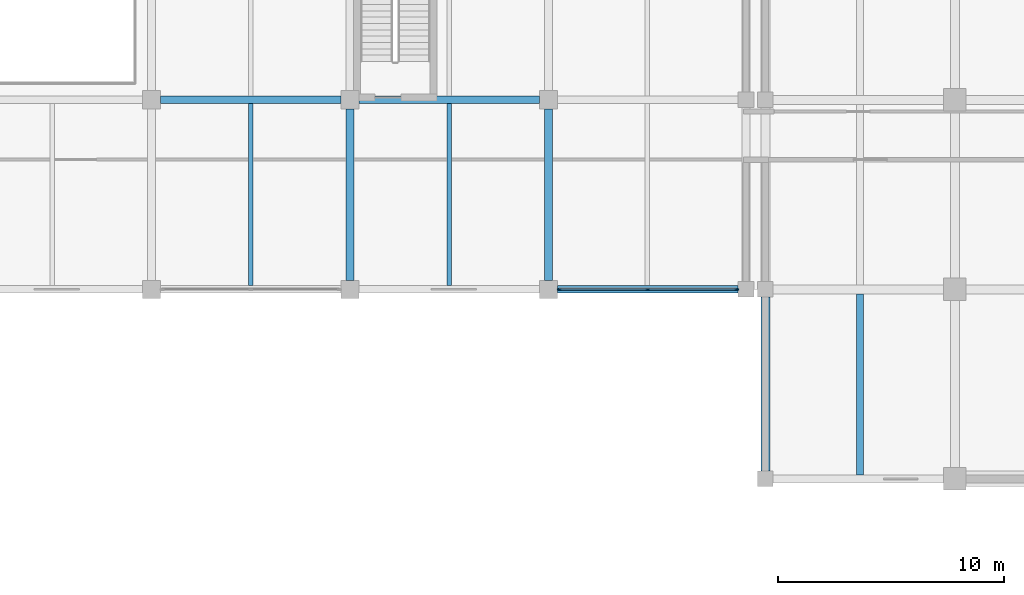
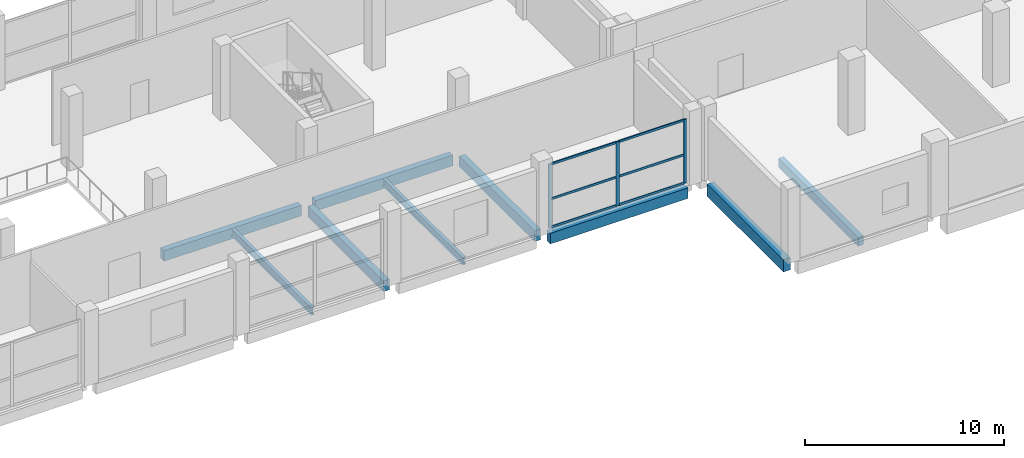
# One storey, part 10 of 31: 9 beams, 9 members, 1 element without a shape of its own.
"""IFC4 building model written with IfcOpenShell, lengths in metres."""

from ifc_helpers import new_model, si_unit, direction, frame, origin, origin_2d, place, context, subcontext, project, spatial, rectangle, i_section, extrude, material, material_profile, profile_set, type_object, element, aggregate, save


model = new_model("IFC4")

# Units and contexts
model_context = context("Model", 3, precision=1e-05, world=origin(), true_north=direction((0.0, 1.0)))
body_context = subcontext(model_context, "Body", "Model", "MODEL_VIEW")
ifc_project = project(units=[si_unit("LENGTHUNIT", "METRE"), si_unit("AREAUNIT", "SQUARE_METRE"), si_unit("VOLUMEUNIT", "CUBIC_METRE"), si_unit("PLANEANGLEUNIT", "RADIAN"), si_unit("MASSUNIT", "GRAM", prefix="KILO")], contexts=[model_context])

# Site, building, storey
site_placement = place(None, origin())
site = spatial("IfcSite", under=ifc_project, at=site_placement, CompositionType="ELEMENT")
building_placement = place(site_placement, origin())
building = spatial("IfcBuilding", under=site, at=building_placement, Name="Brinegate Botanical Conservatory", CompositionType="ELEMENT")
storey_placement = place(building_placement, frame((0.0, 0.0, 5.39990234375)))
storey = spatial("IfcBuildingStorey", under=building, at=storey_placement, Name="L02", CompositionType="ELEMENT", Elevation=5.39990234375)

# Beams
ifc_material_1 = material(Name="Concrete C50/60", Category="concrete")
ifc_material_profile_1 = material_profile(ifc_material_1, rectangle(XDim=0.39990234375, YDim=0.75, at=origin_2d()), Name="RC BM 400x750")
ifc_profile_set_1 = profile_set([ifc_material_profile_1], Name="Concrete C50/60")
beam_type_1 = type_object("IfcBeamType", Name="Beam_BM-T1", PredefinedType="BEAM", material=ifc_profile_set_1)
beam_1_placement = place(storey_placement, frame((122.0, 78.75, -0.594970703125), z_axis=(0.0, 1.0, 0.0), x_axis=(-1.0, 0.0, 0.0)))
element("IfcBeam", 1, at=beam_1_placement, inside=storey, type_object=beam_type_1, Name="Beam BM-T1 L02 16:K-L", PredefinedType="BEAM", context=body_context, shape_type="SweptSolid", body=[
    extrude(rectangle(XDim=0.39990234375, YDim=0.75, at=origin_2d()), origin(), (0.0, 0.0, 1.0), 7.699951171875),
])
ifc_material_2 = material(Name="Concrete C40/50", Category="concrete")
ifc_material_profile_2 = material_profile(ifc_material_2, rectangle(XDim=0.35009765625, YDim=0.64990234375, at=origin_2d()), Name="RC BM 350x650")
ifc_profile_set_2 = profile_set([ifc_material_profile_2], Name="Concrete C40/50")
beam_type_2 = type_object("IfcBeamType", Name="Beam_BM-V3", PredefinedType="BEAM", material=ifc_profile_set_2)
for number, where, z_axis, x_axis, name in (
    (2, (112.800048828125, 86.800048828125, -0.544921875), (1.0, 0.0, 0.0), (0.0, 1.0, 0.0), "Beam BM-V3 L02 L:14-15"),
    (3, (95.199951171875, 95.199951171875, -0.544921875), (1.0, 0.0, 0.0), (0.0, 1.0, 0.0), "Beam BM-V3 L02 M:12-13"),
    (4, (104.0, 95.199951171875, -0.544921875), (1.0, 0.0, 0.0), (0.0, 1.0, 0.0), "Beam BM-V3 L02 M:13-14"),
):
    element("IfcBeam", number, at=place(storey_placement, frame(where, z_axis=z_axis, x_axis=x_axis)), inside=storey, type_object=beam_type_2, Name=name, PredefinedType="BEAM", context=body_context, shape_type="SweptSolid", body=[
        extrude(rectangle(XDim=0.35009765625, YDim=0.64990234375, at=origin_2d()), origin(), (0.0, 0.0, 1.0), 8.0),
    ])
for number, where, z_axis, x_axis, name in (
    (5, (103.60009765625, 87.199951171875, -0.544921875), (0.0, 1.0, 0.0), (-1.0, 0.0, 0.0), "Beam BM-V3 L02 13:L-M"),
    (6, (112.39990234375, 87.199951171875, -0.544921875), (0.0, 1.0, 0.0), (-1.0, 0.0, 0.0), "Beam BM-V3 L02 14:L-M"),
):
    element("IfcBeam", number, at=place(storey_placement, frame(where, z_axis=z_axis, x_axis=x_axis)), inside=storey, type_object=beam_type_2, Name=name, PredefinedType="BEAM", context=body_context, shape_type="SweptSolid", body=[
        extrude(rectangle(XDim=0.35009765625, YDim=0.64990234375, at=origin_2d()), origin(), (0.0, 0.0, 1.0), 7.60009765625),
    ])
ifc_material_profile_3 = material_profile(ifc_material_2, rectangle(XDim=0.300048828125, YDim=0.550048828125, at=origin_2d()), Name="RC JST 300x550")
ifc_profile_set_3 = profile_set([ifc_material_profile_3], Name="Concrete C40/50")
beam_type_3 = type_object("IfcBeamType", Name="Beam_JS-C1", PredefinedType="JOIST", material=ifc_profile_set_3)
beam_2_placement = place(storey_placement, frame((126.199951171875, 78.574951171875, -0.494873046875), z_axis=(0.0, 1.0, 0.0), x_axis=(-1.0, 0.0, 0.0)))
element("IfcBeam", 7, at=beam_2_placement, inside=storey, type_object=beam_type_3, Name="Floor joist JS-C1 L02 bay 16.10", PredefinedType="JOIST", context=body_context, shape_type="SweptSolid", body=[
    extrude(rectangle(XDim=0.300048828125, YDim=0.550048828125, at=origin_2d()), origin(), (0.0, 0.0, 1.0), 8.025146484375),
])
ifc_material_3 = material(Name="Structural steel Q355B / S355", Category="steel")
ifc_material_profile_4 = material_profile(ifc_material_3, i_section(OverallWidth=0.199951171875, OverallDepth=0.449951171875, WebThickness=0.009033203125, FlangeThickness=0.013916015625, at=origin_2d()), Name="HN 450x200x9x14")
ifc_profile_set_4 = profile_set([ifc_material_profile_4], Name="Structural steel Q355B / S355")
beam_type_4 = type_object("IfcBeamType", Name="Beam_JS-S1", PredefinedType="JOIST", material=ifc_profile_set_4)
for number, where, z_axis, x_axis, name in (
    (8, (99.199951171875, 86.97509765625, -0.44482421875), (0.0, 1.0, 0.0), (-1.0, 0.0, 0.0), "Floor joist JS-S1 L02 bay 12.11"),
    (9, (108.0, 86.97509765625, -0.44482421875), (0.0, 1.0, 0.0), (-1.0, 0.0, 0.0), "Floor joist JS-S1 L02 bay 13.11"),
):
    element("IfcBeam", number, at=place(storey_placement, frame(where, z_axis=z_axis, x_axis=x_axis)), inside=storey, type_object=beam_type_4, Name=name, PredefinedType="JOIST", context=body_context, shape_type="SweptSolid", body=[
        extrude(i_section(OverallWidth=0.199951171875, OverallDepth=0.449951171875, WebThickness=0.009033203125, FlangeThickness=0.013916015625, at=origin_2d()), origin(), (0.0, 0.0, 1.0), 8.0498046875),
    ])

# Curtain wall, members
ifc_material_4 = material(Name="Thermally broken anodised aluminium AW-6063-T6", Category="aluminium")
curtain_wall_type = type_object("IfcCurtainWallType", Name="CW_CW-V3", PredefinedType="USERDEFINED", material=ifc_material_4)
curtain_wall_placement = place(storey_placement, origin())
curtain_wall = element("IfcCurtainWall", 10, at=curtain_wall_placement, inside=storey, type_object=curtain_wall_type, Name="Visitor south court curtain wall L02.8", ObjectType="FACTORY CURTAIN WALL", PredefinedType="USERDEFINED")
ifc_material_profile_5 = material_profile(ifc_material_4, rectangle(XDim=0.06494140625, YDim=0.179931640625, at=origin_2d()), Name="ALUM MULLION 65x180")
ifc_profile_set_5 = profile_set([ifc_material_profile_5], Name="Thermally broken anodised aluminium AW-6063-T6")
member_type_1 = type_object("IfcMemberType", Name="Member_ML-02", PredefinedType="MULLION", material=ifc_profile_set_5)
member_1_placement = place(storey_placement, frame((120.7275390625, 86.800048828125, 0.0), z_axis=(0.0, 0.0, 1.0), x_axis=(0.0, -1.0, 0.0)))
member_1 = element("IfcMember", 11, at=member_1_placement, type_object=member_type_1, Name="CW-V3 mullion 1", PredefinedType="MULLION", context=body_context, shape_type="SweptSolid", body=[
    extrude(rectangle(XDim=0.06494140625, YDim=0.179931640625, at=origin_2d()), origin(), (0.0, 0.0, 1.0), 3.93017578125),
])
member_2_placement = place(storey_placement, frame((116.800048828125, 86.800048828125, 0.0), z_axis=(0.0, 0.0, 1.0), x_axis=(0.0, -1.0, 0.0)))
member_2 = element("IfcMember", 12, at=member_2_placement, type_object=member_type_1, Name="CW-V3 mullion 2", PredefinedType="MULLION", context=body_context, shape_type="SweptSolid", body=[
    extrude(rectangle(XDim=0.06494140625, YDim=0.179931640625, at=origin_2d()), origin(), (0.0, 0.0, 1.0), 3.93017578125),
])
member_3_placement = place(storey_placement, frame((112.87255859375, 86.800048828125, 0.0), z_axis=(0.0, 0.0, 1.0), x_axis=(0.0, -1.0, 0.0)))
member_3 = element("IfcMember", 13, at=member_3_placement, type_object=member_type_1, Name="CW-V3 mullion 3", PredefinedType="MULLION", context=body_context, shape_type="SweptSolid", body=[
    extrude(rectangle(XDim=0.06494140625, YDim=0.179931640625, at=origin_2d()), origin(), (0.0, 0.0, 1.0), 3.93017578125),
])
ifc_material_profile_6 = material_profile(ifc_material_4, rectangle(XDim=0.06494140625, YDim=0.135009765625, at=origin_2d()), Name="ALUM TRANSOM 65x135")
ifc_profile_set_6 = profile_set([ifc_material_profile_6], Name="Thermally broken anodised aluminium AW-6063-T6")
member_type_2 = type_object("IfcMemberType", Name="Member_TR-02", PredefinedType="USERDEFINED", material=ifc_profile_set_6)
member_4_placement = place(storey_placement, frame((120.695068359375, 86.800048828125, 0.03271484375), z_axis=(-1.0, 0.0, 0.0), x_axis=(0.0, -1.0, 0.0)))
member_4 = element("IfcMember", 14, at=member_4_placement, type_object=member_type_2, Name="CW-V3 transom 1.1", ObjectType="TRANSOM", PredefinedType="USERDEFINED", context=body_context, shape_type="SweptSolid", body=[
    extrude(rectangle(XDim=0.06494140625, YDim=0.135009765625, at=origin_2d()), origin(), (0.0, 0.0, 1.0), 3.862548828125),
])
member_5_placement = place(storey_placement, frame((120.695068359375, 86.800048828125, 1.76806640625), z_axis=(-1.0, 0.0, 0.0), x_axis=(0.0, -1.0, 0.0)))
member_5 = element("IfcMember", 15, at=member_5_placement, type_object=member_type_2, Name="CW-V3 transom 1.2", ObjectType="TRANSOM", PredefinedType="USERDEFINED", context=body_context, shape_type="SweptSolid", body=[
    extrude(rectangle(XDim=0.06494140625, YDim=0.135009765625, at=origin_2d()), origin(), (0.0, 0.0, 1.0), 3.862548828125),
])
member_6_placement = place(storey_placement, frame((120.695068359375, 86.800048828125, 3.897705078125), z_axis=(-1.0, 0.0, 0.0), x_axis=(0.0, -1.0, 0.0)))
member_6 = element("IfcMember", 16, at=member_6_placement, type_object=member_type_2, Name="CW-V3 transom 1.3", ObjectType="TRANSOM", PredefinedType="USERDEFINED", context=body_context, shape_type="SweptSolid", body=[
    extrude(rectangle(XDim=0.06494140625, YDim=0.135009765625, at=origin_2d()), origin(), (0.0, 0.0, 1.0), 3.862548828125),
])
member_7_placement = place(storey_placement, frame((116.767578125, 86.800048828125, 0.03271484375), z_axis=(-1.0, 0.0, 0.0), x_axis=(0.0, -1.0, 0.0)))
member_7 = element("IfcMember", 17, at=member_7_placement, type_object=member_type_2, Name="CW-V3 transom 2.1", ObjectType="TRANSOM", PredefinedType="USERDEFINED", context=body_context, shape_type="SweptSolid", body=[
    extrude(rectangle(XDim=0.06494140625, YDim=0.135009765625, at=origin_2d()), origin(), (0.0, 0.0, 1.0), 3.862548828125),
])
member_8_placement = place(storey_placement, frame((116.767578125, 86.800048828125, 1.76806640625), z_axis=(-1.0, 0.0, 0.0), x_axis=(0.0, -1.0, 0.0)))
member_8 = element("IfcMember", 18, at=member_8_placement, type_object=member_type_2, Name="CW-V3 transom 2.2", ObjectType="TRANSOM", PredefinedType="USERDEFINED", context=body_context, shape_type="SweptSolid", body=[
    extrude(rectangle(XDim=0.06494140625, YDim=0.135009765625, at=origin_2d()), origin(), (0.0, 0.0, 1.0), 3.862548828125),
])
member_9_placement = place(storey_placement, frame((116.767578125, 86.800048828125, 3.897705078125), z_axis=(-1.0, 0.0, 0.0), x_axis=(0.0, -1.0, 0.0)))
member_9 = element("IfcMember", 19, at=member_9_placement, type_object=member_type_2, Name="CW-V3 transom 2.3", ObjectType="TRANSOM", PredefinedType="USERDEFINED", context=body_context, shape_type="SweptSolid", body=[
    extrude(rectangle(XDim=0.06494140625, YDim=0.135009765625, at=origin_2d()), origin(), (0.0, 0.0, 1.0), 3.862548828125),
])
aggregate(curtain_wall, [member_1, member_2, member_3, member_4, member_5, member_6, member_7, member_8, member_9])

save(model, "model.ifc")
